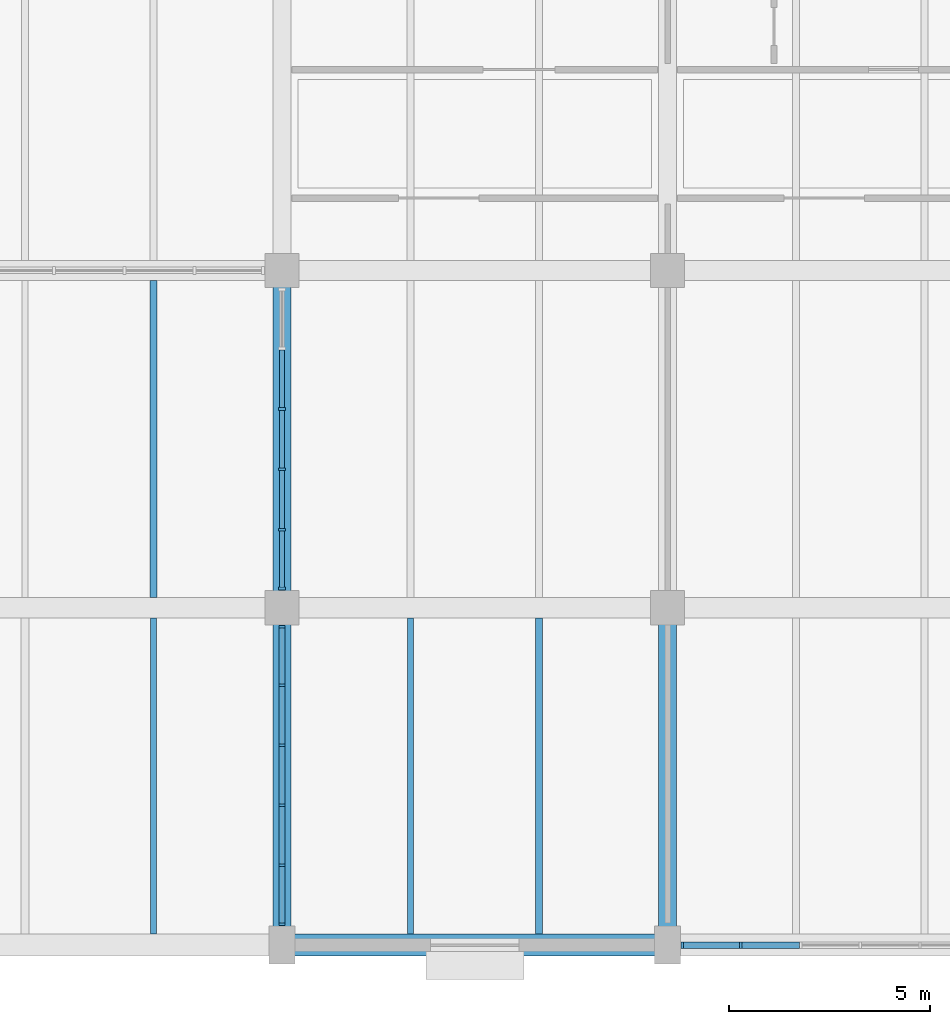
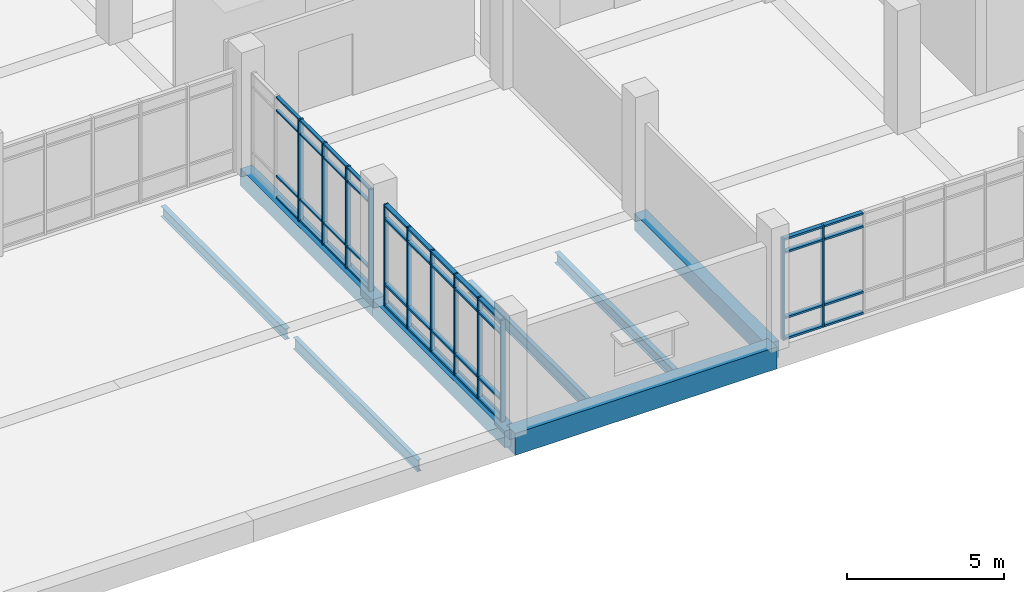
# One storey, part 8 of 152: 56 members, 8 beams, 3 elements without a shape of their own.
"""IFC4 building model written with IfcOpenShell, lengths in metres."""

from ifc_helpers import new_model, si_unit, direction, frame, origin, origin_2d, place, context, subcontext, project, spatial, rectangle, i_section, extrude, material, material_profile, profile_set, type_object, element, aggregate, save


model = new_model("IFC4")

# Units and contexts
model_context = context("Model", 3, precision=1e-05, world=origin(), true_north=direction((0.0, 1.0)))
body_context = subcontext(model_context, "Body", "Model", "MODEL_VIEW")
ifc_project = project(units=[si_unit("LENGTHUNIT", "METRE"), si_unit("AREAUNIT", "SQUARE_METRE"), si_unit("VOLUMEUNIT", "CUBIC_METRE"), si_unit("PLANEANGLEUNIT", "RADIAN"), si_unit("MASSUNIT", "GRAM", prefix="KILO")], contexts=[model_context])

# Site, building, storey
site_placement = place(None, origin())
site = spatial("IfcSite", under=ifc_project, at=site_placement, CompositionType="ELEMENT")
building_placement = place(site_placement, origin())
building = spatial("IfcBuilding", under=site, at=building_placement, Name="Oolite Switchyard Hospital", CompositionType="ELEMENT")
storey_placement = place(building_placement, frame((0.0, 0.0, 5.10009765625)))
storey = spatial("IfcBuildingStorey", under=building, at=storey_placement, Name="L01", CompositionType="ELEMENT", Elevation=5.10009765625)

# Beams
ifc_material_1 = material(Name="Concrete C40/50", Category="concrete")
ifc_material_profile_1 = material_profile(ifc_material_1, rectangle(XDim=0.449951171875, YDim=0.64990234375, at=origin_2d()), Name="RCB450X650")
ifc_profile_set_1 = profile_set([ifc_material_profile_1], Name="Concrete C40/50")
beam_type_1 = type_object("IfcBeamType", Name="BM-RC450X650", PredefinedType="BEAM", material=ifc_profile_set_1)
beam_1_placement = place(storey_placement, frame((19.199951171875, 0.0, -0.3251953125), z_axis=(0.0, 1.0, 0.0), x_axis=(-1.0, 0.0, 0.0)))
element("IfcBeam", 1, at=beam_1_placement, inside=storey, type_object=beam_type_1, Name="L01 Y-Girder 318", PredefinedType="BEAM", context=body_context, shape_type="SweptSolid", body=[
    extrude(rectangle(XDim=0.449951171875, YDim=0.64990234375, at=origin_2d()), origin(), (0.0, 0.0, 1.0), 8.39990234375),
])
beam_2_placement = place(storey_placement, frame((19.199951171875, 8.39990234375, -0.3251953125), z_axis=(0.0, 1.0, 0.0), x_axis=(-1.0, 0.0, 0.0)))
element("IfcBeam", 2, at=beam_2_placement, inside=storey, type_object=beam_type_1, Name="L01 Y-Girder 319", PredefinedType="BEAM", context=body_context, shape_type="SweptSolid", body=[
    extrude(rectangle(XDim=0.449951171875, YDim=0.64990234375, at=origin_2d()), origin(), (0.0, 0.0, 1.0), 8.400146484375),
])
beam_3_placement = place(storey_placement, frame((28.800048828125, 0.0, -0.3251953125), z_axis=(0.0, 1.0, 0.0), x_axis=(-1.0, 0.0, 0.0)))
element("IfcBeam", 3, at=beam_3_placement, inside=storey, type_object=beam_type_1, Name="L01 Y-Girder 334", PredefinedType="BEAM", context=body_context, shape_type="SweptSolid", body=[
    extrude(rectangle(XDim=0.449951171875, YDim=0.64990234375, at=origin_2d()), origin(), (0.0, 0.0, 1.0), 8.39990234375),
])
ifc_material_profile_2 = material_profile(ifc_material_1, rectangle(XDim=0.550048828125, YDim=0.85009765625, at=origin_2d()), Name="RCB550X850")
ifc_profile_set_2 = profile_set([ifc_material_profile_2], Name="Concrete C40/50")
beam_type_2 = type_object("IfcBeamType", Name="BM-RC550X850", PredefinedType="BEAM", material=ifc_profile_set_2)
beam_4_placement = place(storey_placement, frame((19.199951171875, 0.0, -0.425048828125), z_axis=(1.0, 0.0, 0.0), x_axis=(0.0, 1.0, 0.0)))
element("IfcBeam", 4, at=beam_4_placement, inside=storey, type_object=beam_type_2, Name="L01 X-Girder 3", PredefinedType="BEAM", context=body_context, shape_type="SweptSolid", body=[
    extrude(rectangle(XDim=0.550048828125, YDim=0.85009765625, at=origin_2d()), origin(), (0.0, 0.0, 1.0), 9.60009765625),
])
ifc_material_2 = material(Name="Steel ASTM A992 Grade 50", Category="steel")
ifc_material_profile_3 = material_profile(ifc_material_2, i_section(OverallWidth=0.179931640625, OverallDepth=0.4130859375, WebThickness=0.010009765625, FlangeThickness=0.01611328125, at=origin_2d()), Name="W16X50")
ifc_profile_set_3 = profile_set([ifc_material_profile_3], Name="Steel ASTM A992 Grade 50")
beam_type_3 = type_object("IfcBeamType", Name="BM-W16X50", PredefinedType="JOIST", material=ifc_profile_set_3)
beam_5_placement = place(storey_placement, frame((16.0, 8.64990234375, -0.426025390625), z_axis=(0.0, 1.0, 0.0), x_axis=(-1.0, 0.0, 0.0)))
element("IfcBeam", 5, at=beam_5_placement, inside=storey, type_object=beam_type_3, Name="L01 Secondary Steel Joist 593", PredefinedType="JOIST", context=body_context, shape_type="SweptSolid", body=[
    extrude(i_section(OverallWidth=0.179931640625, OverallDepth=0.4130859375, WebThickness=0.010009765625, FlangeThickness=0.01611328125, at=origin_2d()), origin(), (0.0, 0.0, 1.0), 7.900146484375),
])
beam_6_placement = place(storey_placement, frame((25.60009765625, 0.27490234375, -0.482177734375), z_axis=(0.0, 1.0, 0.0), x_axis=(-1.0, 0.0, 0.0)))
element("IfcBeam", 6, at=beam_6_placement, inside=storey, type_object=beam_type_3, Name="L01 Secondary Steel Joist 623", PredefinedType="JOIST", context=body_context, shape_type="SweptSolid", body=[
    extrude(i_section(OverallWidth=0.179931640625, OverallDepth=0.4130859375, WebThickness=0.010009765625, FlangeThickness=0.01611328125, at=origin_2d()), origin(), (0.0, 0.0, 1.0), 7.875),
])
ifc_material_profile_4 = material_profile(ifc_material_2, i_section(OverallWidth=0.153076171875, OverallDepth=0.455078125, WebThickness=0.008056640625, FlangeThickness=0.012939453125, at=origin_2d()), Name="W18X40")
ifc_profile_set_4 = profile_set([ifc_material_profile_4], Name="Steel ASTM A992 Grade 50")
beam_type_4 = type_object("IfcBeamType", Name="BM-W18X40", PredefinedType="JOIST", material=ifc_profile_set_4)
for number, where, z_axis, x_axis, name in (
    (7, (16.0, 0.27490234375, -0.447998046875), (0.0, 1.0, 0.0), (-1.0, 0.0, 0.0), "L01 Secondary Steel Joist 591"),
    (8, (22.39990234375, 0.27490234375, -0.503173828125), (0.0, 1.0, 0.0), (-1.0, 0.0, 0.0), "L01 Secondary Steel Joist 622"),
):
    element("IfcBeam", number, at=place(storey_placement, frame(where, z_axis=z_axis, x_axis=x_axis)), inside=storey, type_object=beam_type_4, Name=name, PredefinedType="JOIST", context=body_context, shape_type="SweptSolid", body=[
        extrude(i_section(OverallWidth=0.153076171875, OverallDepth=0.455078125, WebThickness=0.008056640625, FlangeThickness=0.012939453125, at=origin_2d()), origin(), (0.0, 0.0, 1.0), 7.875),
    ])

# Curtain wall, members
ifc_material_3 = material(Name="Thermally broken aluminum frame with laminated impact glazing", Category="aluminium")
curtain_wall_type_1 = type_object("IfcCurtainWallType", Name="CW-UNIT-96X48", PredefinedType="USERDEFINED", material=ifc_material_3)
curtain_wall_1_placement = place(storey_placement, origin())
curtain_wall_1 = element("IfcCurtainWall", 9, at=curtain_wall_1_placement, inside=storey, type_object=curtain_wall_type_1, Name="L01 Unitised Curtain Wall 95", ObjectType="UNITISED", PredefinedType="USERDEFINED")
ifc_material_4 = material(Name="Aluminium 6063-T6", Category="aluminium")
ifc_material_profile_5 = material_profile(ifc_material_4, rectangle(XDim=0.159912109375, YDim=0.06005859375, at=origin_2d()), Name="CWM60X160")
ifc_profile_set_5 = profile_set([ifc_material_profile_5], Name="Aluminium 6063-T6")
member_type_1 = type_object("IfcMemberType", Name="CW-MUL-180", PredefinedType="MULLION", material=ifc_profile_set_5)
member_1_placement = place(storey_placement, frame((30.626708984375, 0.0, 0.0), z_axis=(0.0, 0.0, 1.0), x_axis=(0.0, -1.0, 0.0)))
member_1 = element("IfcMember", 10, at=member_1_placement, type_object=member_type_1, Name="CW-02 mullion 6", PredefinedType="MULLION", context=body_context, shape_type="SweptSolid", body=[
    extrude(rectangle(XDim=0.159912109375, YDim=0.06005859375, at=origin_2d()), origin(), (0.0, 0.0, 1.0), 3.93994140625),
])
member_2_placement = place(storey_placement, frame((29.169921875, 0.0, 0.0), z_axis=(0.0, 0.0, 1.0), x_axis=(0.0, -1.0, 0.0)))
member_2 = element("IfcMember", 11, at=member_2_placement, type_object=member_type_1, Name="CW-02 mullion 7", PredefinedType="MULLION", context=body_context, shape_type="SweptSolid", body=[
    extrude(rectangle(XDim=0.159912109375, YDim=0.06005859375, at=origin_2d()), origin(), (0.0, 0.0, 1.0), 3.93994140625),
])

curtain_wall_type_2 = type_object("IfcCurtainWallType", Name="CW-UNIT-84X48", PredefinedType="USERDEFINED", material=ifc_material_3)
curtain_wall_2_placement = place(storey_placement, origin())
curtain_wall_2 = element("IfcCurtainWall", 12, at=curtain_wall_2_placement, inside=storey, type_object=curtain_wall_type_2, Name="L01 Unitised Curtain Wall 167", ObjectType="UNITISED", PredefinedType="USERDEFINED")
member_3_placement = place(storey_placement, frame((19.199951171875, 0.52001953125, 0.0), z_axis=(0.0, 0.0, 1.0), x_axis=(-1.0, 0.0, 0.0)))
member_3 = element("IfcMember", 13, at=member_3_placement, type_object=member_type_1, Name="CW-07 mullion 1", PredefinedType="MULLION", context=body_context, shape_type="SweptSolid", body=[
    extrude(rectangle(XDim=0.159912109375, YDim=0.06005859375, at=origin_2d()), origin(), (0.0, 0.0, 1.0), 3.93994140625),
])
member_4_placement = place(storey_placement, frame((19.199951171875, 1.98388671875, 0.0), z_axis=(0.0, 0.0, 1.0), x_axis=(-1.0, 0.0, 0.0)))
member_4 = element("IfcMember", 14, at=member_4_placement, type_object=member_type_1, Name="CW-07 mullion 2", PredefinedType="MULLION", context=body_context, shape_type="SweptSolid", body=[
    extrude(rectangle(XDim=0.159912109375, YDim=0.06005859375, at=origin_2d()), origin(), (0.0, 0.0, 1.0), 3.93994140625),
])
member_5_placement = place(storey_placement, frame((19.199951171875, 3.47802734375, 0.0), z_axis=(0.0, 0.0, 1.0), x_axis=(-1.0, 0.0, 0.0)))
member_5 = element("IfcMember", 15, at=member_5_placement, type_object=member_type_1, Name="CW-07 mullion 3", PredefinedType="MULLION", context=body_context, shape_type="SweptSolid", body=[
    extrude(rectangle(XDim=0.159912109375, YDim=0.06005859375, at=origin_2d()), origin(), (0.0, 0.0, 1.0), 3.93994140625),
])
member_6_placement = place(storey_placement, frame((19.199951171875, 4.971923828125, 0.0), z_axis=(0.0, 0.0, 1.0), x_axis=(-1.0, 0.0, 0.0)))
member_6 = element("IfcMember", 16, at=member_6_placement, type_object=member_type_1, Name="CW-07 mullion 4", PredefinedType="MULLION", context=body_context, shape_type="SweptSolid", body=[
    extrude(rectangle(XDim=0.159912109375, YDim=0.06005859375, at=origin_2d()), origin(), (0.0, 0.0, 1.0), 3.93994140625),
])
member_7_placement = place(storey_placement, frame((19.199951171875, 6.466064453125, 0.0), z_axis=(0.0, 0.0, 1.0), x_axis=(-1.0, 0.0, 0.0)))
member_7 = element("IfcMember", 17, at=member_7_placement, type_object=member_type_1, Name="CW-07 mullion 5", PredefinedType="MULLION", context=body_context, shape_type="SweptSolid", body=[
    extrude(rectangle(XDim=0.159912109375, YDim=0.06005859375, at=origin_2d()), origin(), (0.0, 0.0, 1.0), 3.93994140625),
])
member_8_placement = place(storey_placement, frame((19.199951171875, 7.929931640625, 0.0), z_axis=(0.0, 0.0, 1.0), x_axis=(-1.0, 0.0, 0.0)))
member_8 = element("IfcMember", 18, at=member_8_placement, type_object=member_type_1, Name="CW-07 mullion 6", PredefinedType="MULLION", context=body_context, shape_type="SweptSolid", body=[
    extrude(rectangle(XDim=0.159912109375, YDim=0.06005859375, at=origin_2d()), origin(), (0.0, 0.0, 1.0), 3.93994140625),
])

curtain_wall_3_placement = place(storey_placement, origin())
curtain_wall_3 = element("IfcCurtainWall", 19, at=curtain_wall_3_placement, inside=storey, type_object=curtain_wall_type_2, Name="L01 Unitised Curtain Wall 168", ObjectType="UNITISED", PredefinedType="USERDEFINED")
ifc_material_profile_6 = material_profile(ifc_material_4, rectangle(XDim=0.179931640625, YDim=0.070068359375, at=origin_2d()), Name="CWM70X180")
ifc_profile_set_6 = profile_set([ifc_material_profile_6], Name="Aluminium 6063-T6")
member_type_2 = type_object("IfcMemberType", Name="CW-MUL-220", PredefinedType="MULLION", material=ifc_profile_set_6)
member_9_placement = place(storey_placement, frame((19.199951171875, 8.875, 0.0), z_axis=(0.0, 0.0, 1.0), x_axis=(-1.0, 0.0, 0.0)))
member_9 = element("IfcMember", 20, at=member_9_placement, type_object=member_type_2, Name="CW-07 mullion 1", PredefinedType="MULLION", context=body_context, shape_type="SweptSolid", body=[
    extrude(rectangle(XDim=0.179931640625, YDim=0.070068359375, at=origin_2d()), origin(), (0.0, 0.0, 1.0), 3.93994140625),
])
member_10_placement = place(storey_placement, frame((19.199951171875, 10.343994140625, 0.0), z_axis=(0.0, 0.0, 1.0), x_axis=(-1.0, 0.0, 0.0)))
member_10 = element("IfcMember", 21, at=member_10_placement, type_object=member_type_2, Name="CW-07 mullion 2", PredefinedType="MULLION", context=body_context, shape_type="SweptSolid", body=[
    extrude(rectangle(XDim=0.179931640625, YDim=0.070068359375, at=origin_2d()), origin(), (0.0, 0.0, 1.0), 3.93994140625),
])
member_11_placement = place(storey_placement, frame((19.199951171875, 11.847900390625, 0.0), z_axis=(0.0, 0.0, 1.0), x_axis=(-1.0, 0.0, 0.0)))
member_11 = element("IfcMember", 22, at=member_11_placement, type_object=member_type_2, Name="CW-07 mullion 3", PredefinedType="MULLION", context=body_context, shape_type="SweptSolid", body=[
    extrude(rectangle(XDim=0.179931640625, YDim=0.070068359375, at=origin_2d()), origin(), (0.0, 0.0, 1.0), 3.93994140625),
])
member_12_placement = place(storey_placement, frame((19.199951171875, 13.35205078125, 0.0), z_axis=(0.0, 0.0, 1.0), x_axis=(-1.0, 0.0, 0.0)))
member_12 = element("IfcMember", 23, at=member_12_placement, type_object=member_type_2, Name="CW-07 mullion 4", PredefinedType="MULLION", context=body_context, shape_type="SweptSolid", body=[
    extrude(rectangle(XDim=0.179931640625, YDim=0.070068359375, at=origin_2d()), origin(), (0.0, 0.0, 1.0), 3.93994140625),
])
ifc_material_profile_7 = material_profile(ifc_material_4, rectangle(XDim=0.1201171875, YDim=0.06005859375, at=origin_2d()), Name="CWT60X120")
ifc_profile_set_7 = profile_set([ifc_material_profile_7], Name="Aluminium 6063-T6")
member_type_3 = type_object("IfcMemberType", Name="CW-TRN-150", PredefinedType="USERDEFINED", material=ifc_profile_set_7)
member_13_placement = place(storey_placement, frame((19.199951171875, 8.909912109375, 0.02978515625), z_axis=(0.0, 1.0, 0.0), x_axis=(-1.0, 0.0, 0.0)))
member_13 = element("IfcMember", 24, at=member_13_placement, type_object=member_type_3, Name="CW-07 transom 1.1", ObjectType="TRANSOM", PredefinedType="USERDEFINED", context=body_context, shape_type="SweptSolid", body=[
    extrude(rectangle(XDim=0.1201171875, YDim=0.06005859375, at=origin_2d()), origin(), (0.0, 0.0, 1.0), 1.399169921875),
])
member_14_placement = place(storey_placement, frame((19.199951171875, 8.909912109375, 0.849853515625), z_axis=(0.0, 1.0, 0.0), x_axis=(-1.0, 0.0, 0.0)))
member_14 = element("IfcMember", 25, at=member_14_placement, type_object=member_type_3, Name="CW-07 transom 1.2", ObjectType="TRANSOM", PredefinedType="USERDEFINED", context=body_context, shape_type="SweptSolid", body=[
    extrude(rectangle(XDim=0.1201171875, YDim=0.06005859375, at=origin_2d()), origin(), (0.0, 0.0, 1.0), 1.399169921875),
])
member_15_placement = place(storey_placement, frame((19.199951171875, 8.909912109375, 3.389892578125), z_axis=(0.0, 1.0, 0.0), x_axis=(-1.0, 0.0, 0.0)))
member_15 = element("IfcMember", 26, at=member_15_placement, type_object=member_type_3, Name="CW-07 transom 1.3", ObjectType="TRANSOM", PredefinedType="USERDEFINED", context=body_context, shape_type="SweptSolid", body=[
    extrude(rectangle(XDim=0.1201171875, YDim=0.06005859375, at=origin_2d()), origin(), (0.0, 0.0, 1.0), 1.399169921875),
])
member_16_placement = place(storey_placement, frame((19.199951171875, 8.909912109375, 3.909912109375), z_axis=(0.0, 1.0, 0.0), x_axis=(-1.0, 0.0, 0.0)))
member_16 = element("IfcMember", 27, at=member_16_placement, type_object=member_type_3, Name="CW-07 transom 1.4", ObjectType="TRANSOM", PredefinedType="USERDEFINED", context=body_context, shape_type="SweptSolid", body=[
    extrude(rectangle(XDim=0.1201171875, YDim=0.06005859375, at=origin_2d()), origin(), (0.0, 0.0, 1.0), 1.399169921875),
])
member_17_placement = place(storey_placement, frame((19.199951171875, 10.37890625, 0.02978515625), z_axis=(0.0, 1.0, 0.0), x_axis=(-1.0, 0.0, 0.0)))
member_17 = element("IfcMember", 28, at=member_17_placement, type_object=member_type_3, Name="CW-07 transom 2.1", ObjectType="TRANSOM", PredefinedType="USERDEFINED", context=body_context, shape_type="SweptSolid", body=[
    extrude(rectangle(XDim=0.1201171875, YDim=0.06005859375, at=origin_2d()), origin(), (0.0, 0.0, 1.0), 1.43408203125),
])
member_18_placement = place(storey_placement, frame((19.199951171875, 10.37890625, 0.849853515625), z_axis=(0.0, 1.0, 0.0), x_axis=(-1.0, 0.0, 0.0)))
member_18 = element("IfcMember", 29, at=member_18_placement, type_object=member_type_3, Name="CW-07 transom 2.2", ObjectType="TRANSOM", PredefinedType="USERDEFINED", context=body_context, shape_type="SweptSolid", body=[
    extrude(rectangle(XDim=0.1201171875, YDim=0.06005859375, at=origin_2d()), origin(), (0.0, 0.0, 1.0), 1.43408203125),
])
member_19_placement = place(storey_placement, frame((19.199951171875, 10.37890625, 3.389892578125), z_axis=(0.0, 1.0, 0.0), x_axis=(-1.0, 0.0, 0.0)))
member_19 = element("IfcMember", 30, at=member_19_placement, type_object=member_type_3, Name="CW-07 transom 2.3", ObjectType="TRANSOM", PredefinedType="USERDEFINED", context=body_context, shape_type="SweptSolid", body=[
    extrude(rectangle(XDim=0.1201171875, YDim=0.06005859375, at=origin_2d()), origin(), (0.0, 0.0, 1.0), 1.43408203125),
])
member_20_placement = place(storey_placement, frame((19.199951171875, 10.37890625, 3.909912109375), z_axis=(0.0, 1.0, 0.0), x_axis=(-1.0, 0.0, 0.0)))
member_20 = element("IfcMember", 31, at=member_20_placement, type_object=member_type_3, Name="CW-07 transom 2.4", ObjectType="TRANSOM", PredefinedType="USERDEFINED", context=body_context, shape_type="SweptSolid", body=[
    extrude(rectangle(XDim=0.1201171875, YDim=0.06005859375, at=origin_2d()), origin(), (0.0, 0.0, 1.0), 1.43408203125),
])
member_21_placement = place(storey_placement, frame((19.199951171875, 11.883056640625, 0.02978515625), z_axis=(0.0, 1.0, 0.0), x_axis=(-1.0, 0.0, 0.0)))
member_21 = element("IfcMember", 32, at=member_21_placement, type_object=member_type_3, Name="CW-07 transom 3.1", ObjectType="TRANSOM", PredefinedType="USERDEFINED", context=body_context, shape_type="SweptSolid", body=[
    extrude(rectangle(XDim=0.1201171875, YDim=0.06005859375, at=origin_2d()), origin(), (0.0, 0.0, 1.0), 1.433837890625),
])
member_22_placement = place(storey_placement, frame((19.199951171875, 11.883056640625, 0.849853515625), z_axis=(0.0, 1.0, 0.0), x_axis=(-1.0, 0.0, 0.0)))
member_22 = element("IfcMember", 33, at=member_22_placement, type_object=member_type_3, Name="CW-07 transom 3.2", ObjectType="TRANSOM", PredefinedType="USERDEFINED", context=body_context, shape_type="SweptSolid", body=[
    extrude(rectangle(XDim=0.1201171875, YDim=0.06005859375, at=origin_2d()), origin(), (0.0, 0.0, 1.0), 1.433837890625),
])
member_23_placement = place(storey_placement, frame((19.199951171875, 11.883056640625, 3.389892578125), z_axis=(0.0, 1.0, 0.0), x_axis=(-1.0, 0.0, 0.0)))
member_23 = element("IfcMember", 34, at=member_23_placement, type_object=member_type_3, Name="CW-07 transom 3.3", ObjectType="TRANSOM", PredefinedType="USERDEFINED", context=body_context, shape_type="SweptSolid", body=[
    extrude(rectangle(XDim=0.1201171875, YDim=0.06005859375, at=origin_2d()), origin(), (0.0, 0.0, 1.0), 1.433837890625),
])
member_24_placement = place(storey_placement, frame((19.199951171875, 11.883056640625, 3.909912109375), z_axis=(0.0, 1.0, 0.0), x_axis=(-1.0, 0.0, 0.0)))
member_24 = element("IfcMember", 35, at=member_24_placement, type_object=member_type_3, Name="CW-07 transom 3.4", ObjectType="TRANSOM", PredefinedType="USERDEFINED", context=body_context, shape_type="SweptSolid", body=[
    extrude(rectangle(XDim=0.1201171875, YDim=0.06005859375, at=origin_2d()), origin(), (0.0, 0.0, 1.0), 1.433837890625),
])
member_25_placement = place(storey_placement, frame((19.199951171875, 13.386962890625, 0.02978515625), z_axis=(0.0, 1.0, 0.0), x_axis=(-1.0, 0.0, 0.0)))
member_25 = element("IfcMember", 36, at=member_25_placement, type_object=member_type_3, Name="CW-07 transom 4.1", ObjectType="TRANSOM", PredefinedType="USERDEFINED", context=body_context, shape_type="SweptSolid", body=[
    extrude(rectangle(XDim=0.1201171875, YDim=0.06005859375, at=origin_2d()), origin(), (0.0, 0.0, 1.0), 1.43408203125),
])
member_26_placement = place(storey_placement, frame((19.199951171875, 13.386962890625, 0.849853515625), z_axis=(0.0, 1.0, 0.0), x_axis=(-1.0, 0.0, 0.0)))
member_26 = element("IfcMember", 37, at=member_26_placement, type_object=member_type_3, Name="CW-07 transom 4.2", ObjectType="TRANSOM", PredefinedType="USERDEFINED", context=body_context, shape_type="SweptSolid", body=[
    extrude(rectangle(XDim=0.1201171875, YDim=0.06005859375, at=origin_2d()), origin(), (0.0, 0.0, 1.0), 1.43408203125),
])
member_27_placement = place(storey_placement, frame((19.199951171875, 13.386962890625, 3.389892578125), z_axis=(0.0, 1.0, 0.0), x_axis=(-1.0, 0.0, 0.0)))
member_27 = element("IfcMember", 38, at=member_27_placement, type_object=member_type_3, Name="CW-07 transom 4.3", ObjectType="TRANSOM", PredefinedType="USERDEFINED", context=body_context, shape_type="SweptSolid", body=[
    extrude(rectangle(XDim=0.1201171875, YDim=0.06005859375, at=origin_2d()), origin(), (0.0, 0.0, 1.0), 1.43408203125),
])
member_28_placement = place(storey_placement, frame((19.199951171875, 13.386962890625, 3.909912109375), z_axis=(0.0, 1.0, 0.0), x_axis=(-1.0, 0.0, 0.0)))
member_28 = element("IfcMember", 39, at=member_28_placement, type_object=member_type_3, Name="CW-07 transom 4.4", ObjectType="TRANSOM", PredefinedType="USERDEFINED", context=body_context, shape_type="SweptSolid", body=[
    extrude(rectangle(XDim=0.1201171875, YDim=0.06005859375, at=origin_2d()), origin(), (0.0, 0.0, 1.0), 1.43408203125),
])
aggregate(curtain_wall_3, [member_9, member_10, member_11, member_12, member_13, member_14, member_15, member_16, member_17, member_18, member_19, member_20, member_21, member_22, member_23, member_24, member_25, member_26, member_27, member_28])

# Member
ifc_material_profile_8 = material_profile(ifc_material_4, rectangle(XDim=0.159912109375, YDim=0.074951171875, at=origin_2d()), Name="CWT75X160")
ifc_profile_set_8 = profile_set([ifc_material_profile_8], Name="Aluminium 6063-T6")
member_type_4 = type_object("IfcMemberType", Name="CW-TRN-180", PredefinedType="USERDEFINED", material=ifc_profile_set_8)
member_29_placement = place(storey_placement, frame((32.083251953125, 0.0, 0.037353515625), z_axis=(-1.0, 0.0, 0.0), x_axis=(0.0, -1.0, 0.0)))
member_29 = element("IfcMember", 40, at=member_29_placement, type_object=member_type_4, Name="CW-02 transom 5.1", ObjectType="TRANSOM", PredefinedType="USERDEFINED", context=body_context, shape_type="SweptSolid", body=[
    extrude(rectangle(XDim=0.159912109375, YDim=0.074951171875, at=origin_2d()), origin(), (0.0, 0.0, 1.0), 1.426513671875),
])

member_30_placement = place(storey_placement, frame((32.083251953125, 0.0, 0.849853515625), z_axis=(-1.0, 0.0, 0.0), x_axis=(0.0, -1.0, 0.0)))
member_30 = element("IfcMember", 41, at=member_30_placement, type_object=member_type_4, Name="CW-02 transom 5.2", ObjectType="TRANSOM", PredefinedType="USERDEFINED", context=body_context, shape_type="SweptSolid", body=[
    extrude(rectangle(XDim=0.159912109375, YDim=0.074951171875, at=origin_2d()), origin(), (0.0, 0.0, 1.0), 1.426513671875),
])

member_31_placement = place(storey_placement, frame((32.083251953125, 0.0, 3.389892578125), z_axis=(-1.0, 0.0, 0.0), x_axis=(0.0, -1.0, 0.0)))
member_31 = element("IfcMember", 42, at=member_31_placement, type_object=member_type_4, Name="CW-02 transom 5.3", ObjectType="TRANSOM", PredefinedType="USERDEFINED", context=body_context, shape_type="SweptSolid", body=[
    extrude(rectangle(XDim=0.159912109375, YDim=0.074951171875, at=origin_2d()), origin(), (0.0, 0.0, 1.0), 1.426513671875),
])

member_32_placement = place(storey_placement, frame((32.083251953125, 0.0, 3.90234375), z_axis=(-1.0, 0.0, 0.0), x_axis=(0.0, -1.0, 0.0)))
member_32 = element("IfcMember", 43, at=member_32_placement, type_object=member_type_4, Name="CW-02 transom 5.4", ObjectType="TRANSOM", PredefinedType="USERDEFINED", context=body_context, shape_type="SweptSolid", body=[
    extrude(rectangle(XDim=0.159912109375, YDim=0.074951171875, at=origin_2d()), origin(), (0.0, 0.0, 1.0), 1.426513671875),
])

member_33_placement = place(storey_placement, frame((30.5966796875, 0.0, 0.037353515625), z_axis=(-1.0, 0.0, 0.0), x_axis=(0.0, -1.0, 0.0)))
member_33 = element("IfcMember", 44, at=member_33_placement, type_object=member_type_4, Name="CW-02 transom 6.1", ObjectType="TRANSOM", PredefinedType="USERDEFINED", context=body_context, shape_type="SweptSolid", body=[
    extrude(rectangle(XDim=0.159912109375, YDim=0.074951171875, at=origin_2d()), origin(), (0.0, 0.0, 1.0), 1.396728515625),
])

member_34_placement = place(storey_placement, frame((30.5966796875, 0.0, 0.849853515625), z_axis=(-1.0, 0.0, 0.0), x_axis=(0.0, -1.0, 0.0)))
member_34 = element("IfcMember", 45, at=member_34_placement, type_object=member_type_4, Name="CW-02 transom 6.2", ObjectType="TRANSOM", PredefinedType="USERDEFINED", context=body_context, shape_type="SweptSolid", body=[
    extrude(rectangle(XDim=0.159912109375, YDim=0.074951171875, at=origin_2d()), origin(), (0.0, 0.0, 1.0), 1.396728515625),
])

member_35_placement = place(storey_placement, frame((30.5966796875, 0.0, 3.389892578125), z_axis=(-1.0, 0.0, 0.0), x_axis=(0.0, -1.0, 0.0)))
member_35 = element("IfcMember", 46, at=member_35_placement, type_object=member_type_4, Name="CW-02 transom 6.3", ObjectType="TRANSOM", PredefinedType="USERDEFINED", context=body_context, shape_type="SweptSolid", body=[
    extrude(rectangle(XDim=0.159912109375, YDim=0.074951171875, at=origin_2d()), origin(), (0.0, 0.0, 1.0), 1.396728515625),
])

member_36_placement = place(storey_placement, frame((30.5966796875, 0.0, 3.90234375), z_axis=(-1.0, 0.0, 0.0), x_axis=(0.0, -1.0, 0.0)))
member_36 = element("IfcMember", 47, at=member_36_placement, type_object=member_type_4, Name="CW-02 transom 6.4", ObjectType="TRANSOM", PredefinedType="USERDEFINED", context=body_context, shape_type="SweptSolid", body=[
    extrude(rectangle(XDim=0.159912109375, YDim=0.074951171875, at=origin_2d()), origin(), (0.0, 0.0, 1.0), 1.396728515625),
])

aggregate(curtain_wall_1, [member_1, member_2, member_29, member_30, member_31, member_32, member_33, member_34, member_35, member_36])

member_37_placement = place(storey_placement, frame((19.199951171875, 0.550048828125, 0.037353515625), z_axis=(0.0, 1.0, 0.0), x_axis=(-1.0, 0.0, 0.0)))
member_37 = element("IfcMember", 48, at=member_37_placement, type_object=member_type_4, Name="CW-07 transom 1.1", ObjectType="TRANSOM", PredefinedType="USERDEFINED", context=body_context, shape_type="SweptSolid", body=[
    extrude(rectangle(XDim=0.159912109375, YDim=0.074951171875, at=origin_2d()), origin(), (0.0, 0.0, 1.0), 1.404052734375),
])

member_38_placement = place(storey_placement, frame((19.199951171875, 0.550048828125, 0.849853515625), z_axis=(0.0, 1.0, 0.0), x_axis=(-1.0, 0.0, 0.0)))
member_38 = element("IfcMember", 49, at=member_38_placement, type_object=member_type_4, Name="CW-07 transom 1.2", ObjectType="TRANSOM", PredefinedType="USERDEFINED", context=body_context, shape_type="SweptSolid", body=[
    extrude(rectangle(XDim=0.159912109375, YDim=0.074951171875, at=origin_2d()), origin(), (0.0, 0.0, 1.0), 1.404052734375),
])

member_39_placement = place(storey_placement, frame((19.199951171875, 0.550048828125, 3.389892578125), z_axis=(0.0, 1.0, 0.0), x_axis=(-1.0, 0.0, 0.0)))
member_39 = element("IfcMember", 50, at=member_39_placement, type_object=member_type_4, Name="CW-07 transom 1.3", ObjectType="TRANSOM", PredefinedType="USERDEFINED", context=body_context, shape_type="SweptSolid", body=[
    extrude(rectangle(XDim=0.159912109375, YDim=0.074951171875, at=origin_2d()), origin(), (0.0, 0.0, 1.0), 1.404052734375),
])

member_40_placement = place(storey_placement, frame((19.199951171875, 0.550048828125, 3.90234375), z_axis=(0.0, 1.0, 0.0), x_axis=(-1.0, 0.0, 0.0)))
member_40 = element("IfcMember", 51, at=member_40_placement, type_object=member_type_4, Name="CW-07 transom 1.4", ObjectType="TRANSOM", PredefinedType="USERDEFINED", context=body_context, shape_type="SweptSolid", body=[
    extrude(rectangle(XDim=0.159912109375, YDim=0.074951171875, at=origin_2d()), origin(), (0.0, 0.0, 1.0), 1.404052734375),
])

member_41_placement = place(storey_placement, frame((19.199951171875, 2.013916015625, 0.037353515625), z_axis=(0.0, 1.0, 0.0), x_axis=(-1.0, 0.0, 0.0)))
member_41 = element("IfcMember", 52, at=member_41_placement, type_object=member_type_4, Name="CW-07 transom 2.1", ObjectType="TRANSOM", PredefinedType="USERDEFINED", context=body_context, shape_type="SweptSolid", body=[
    extrude(rectangle(XDim=0.159912109375, YDim=0.074951171875, at=origin_2d()), origin(), (0.0, 0.0, 1.0), 1.43408203125),
])

member_42_placement = place(storey_placement, frame((19.199951171875, 2.013916015625, 0.849853515625), z_axis=(0.0, 1.0, 0.0), x_axis=(-1.0, 0.0, 0.0)))
member_42 = element("IfcMember", 53, at=member_42_placement, type_object=member_type_4, Name="CW-07 transom 2.2", ObjectType="TRANSOM", PredefinedType="USERDEFINED", context=body_context, shape_type="SweptSolid", body=[
    extrude(rectangle(XDim=0.159912109375, YDim=0.074951171875, at=origin_2d()), origin(), (0.0, 0.0, 1.0), 1.43408203125),
])

member_43_placement = place(storey_placement, frame((19.199951171875, 2.013916015625, 3.389892578125), z_axis=(0.0, 1.0, 0.0), x_axis=(-1.0, 0.0, 0.0)))
member_43 = element("IfcMember", 54, at=member_43_placement, type_object=member_type_4, Name="CW-07 transom 2.3", ObjectType="TRANSOM", PredefinedType="USERDEFINED", context=body_context, shape_type="SweptSolid", body=[
    extrude(rectangle(XDim=0.159912109375, YDim=0.074951171875, at=origin_2d()), origin(), (0.0, 0.0, 1.0), 1.43408203125),
])

member_44_placement = place(storey_placement, frame((19.199951171875, 2.013916015625, 3.90234375), z_axis=(0.0, 1.0, 0.0), x_axis=(-1.0, 0.0, 0.0)))
member_44 = element("IfcMember", 55, at=member_44_placement, type_object=member_type_4, Name="CW-07 transom 2.4", ObjectType="TRANSOM", PredefinedType="USERDEFINED", context=body_context, shape_type="SweptSolid", body=[
    extrude(rectangle(XDim=0.159912109375, YDim=0.074951171875, at=origin_2d()), origin(), (0.0, 0.0, 1.0), 1.43408203125),
])

member_45_placement = place(storey_placement, frame((19.199951171875, 3.508056640625, 0.037353515625), z_axis=(0.0, 1.0, 0.0), x_axis=(-1.0, 0.0, 0.0)))
member_45 = element("IfcMember", 56, at=member_45_placement, type_object=member_type_4, Name="CW-07 transom 3.1", ObjectType="TRANSOM", PredefinedType="USERDEFINED", context=body_context, shape_type="SweptSolid", body=[
    extrude(rectangle(XDim=0.159912109375, YDim=0.074951171875, at=origin_2d()), origin(), (0.0, 0.0, 1.0), 1.433837890625),
])

member_46_placement = place(storey_placement, frame((19.199951171875, 3.508056640625, 0.849853515625), z_axis=(0.0, 1.0, 0.0), x_axis=(-1.0, 0.0, 0.0)))
member_46 = element("IfcMember", 57, at=member_46_placement, type_object=member_type_4, Name="CW-07 transom 3.2", ObjectType="TRANSOM", PredefinedType="USERDEFINED", context=body_context, shape_type="SweptSolid", body=[
    extrude(rectangle(XDim=0.159912109375, YDim=0.074951171875, at=origin_2d()), origin(), (0.0, 0.0, 1.0), 1.433837890625),
])

member_47_placement = place(storey_placement, frame((19.199951171875, 3.508056640625, 3.389892578125), z_axis=(0.0, 1.0, 0.0), x_axis=(-1.0, 0.0, 0.0)))
member_47 = element("IfcMember", 58, at=member_47_placement, type_object=member_type_4, Name="CW-07 transom 3.3", ObjectType="TRANSOM", PredefinedType="USERDEFINED", context=body_context, shape_type="SweptSolid", body=[
    extrude(rectangle(XDim=0.159912109375, YDim=0.074951171875, at=origin_2d()), origin(), (0.0, 0.0, 1.0), 1.433837890625),
])

member_48_placement = place(storey_placement, frame((19.199951171875, 3.508056640625, 3.90234375), z_axis=(0.0, 1.0, 0.0), x_axis=(-1.0, 0.0, 0.0)))
member_48 = element("IfcMember", 59, at=member_48_placement, type_object=member_type_4, Name="CW-07 transom 3.4", ObjectType="TRANSOM", PredefinedType="USERDEFINED", context=body_context, shape_type="SweptSolid", body=[
    extrude(rectangle(XDim=0.159912109375, YDim=0.074951171875, at=origin_2d()), origin(), (0.0, 0.0, 1.0), 1.433837890625),
])

member_49_placement = place(storey_placement, frame((19.199951171875, 5.001953125, 0.037353515625), z_axis=(0.0, 1.0, 0.0), x_axis=(-1.0, 0.0, 0.0)))
member_49 = element("IfcMember", 60, at=member_49_placement, type_object=member_type_4, Name="CW-07 transom 4.1", ObjectType="TRANSOM", PredefinedType="USERDEFINED", context=body_context, shape_type="SweptSolid", body=[
    extrude(rectangle(XDim=0.159912109375, YDim=0.074951171875, at=origin_2d()), origin(), (0.0, 0.0, 1.0), 1.43408203125),
])

member_50_placement = place(storey_placement, frame((19.199951171875, 5.001953125, 0.849853515625), z_axis=(0.0, 1.0, 0.0), x_axis=(-1.0, 0.0, 0.0)))
member_50 = element("IfcMember", 61, at=member_50_placement, type_object=member_type_4, Name="CW-07 transom 4.2", ObjectType="TRANSOM", PredefinedType="USERDEFINED", context=body_context, shape_type="SweptSolid", body=[
    extrude(rectangle(XDim=0.159912109375, YDim=0.074951171875, at=origin_2d()), origin(), (0.0, 0.0, 1.0), 1.43408203125),
])

member_51_placement = place(storey_placement, frame((19.199951171875, 5.001953125, 3.389892578125), z_axis=(0.0, 1.0, 0.0), x_axis=(-1.0, 0.0, 0.0)))
member_51 = element("IfcMember", 62, at=member_51_placement, type_object=member_type_4, Name="CW-07 transom 4.3", ObjectType="TRANSOM", PredefinedType="USERDEFINED", context=body_context, shape_type="SweptSolid", body=[
    extrude(rectangle(XDim=0.159912109375, YDim=0.074951171875, at=origin_2d()), origin(), (0.0, 0.0, 1.0), 1.43408203125),
])

member_52_placement = place(storey_placement, frame((19.199951171875, 5.001953125, 3.90234375), z_axis=(0.0, 1.0, 0.0), x_axis=(-1.0, 0.0, 0.0)))
member_52 = element("IfcMember", 63, at=member_52_placement, type_object=member_type_4, Name="CW-07 transom 4.4", ObjectType="TRANSOM", PredefinedType="USERDEFINED", context=body_context, shape_type="SweptSolid", body=[
    extrude(rectangle(XDim=0.159912109375, YDim=0.074951171875, at=origin_2d()), origin(), (0.0, 0.0, 1.0), 1.43408203125),
])

member_53_placement = place(storey_placement, frame((19.199951171875, 6.49609375, 0.037353515625), z_axis=(0.0, 1.0, 0.0), x_axis=(-1.0, 0.0, 0.0)))
member_53 = element("IfcMember", 64, at=member_53_placement, type_object=member_type_4, Name="CW-07 transom 5.1", ObjectType="TRANSOM", PredefinedType="USERDEFINED", context=body_context, shape_type="SweptSolid", body=[
    extrude(rectangle(XDim=0.159912109375, YDim=0.074951171875, at=origin_2d()), origin(), (0.0, 0.0, 1.0), 1.40380859375),
])

member_54_placement = place(storey_placement, frame((19.199951171875, 6.49609375, 0.849853515625), z_axis=(0.0, 1.0, 0.0), x_axis=(-1.0, 0.0, 0.0)))
member_54 = element("IfcMember", 65, at=member_54_placement, type_object=member_type_4, Name="CW-07 transom 5.2", ObjectType="TRANSOM", PredefinedType="USERDEFINED", context=body_context, shape_type="SweptSolid", body=[
    extrude(rectangle(XDim=0.159912109375, YDim=0.074951171875, at=origin_2d()), origin(), (0.0, 0.0, 1.0), 1.40380859375),
])

member_55_placement = place(storey_placement, frame((19.199951171875, 6.49609375, 3.389892578125), z_axis=(0.0, 1.0, 0.0), x_axis=(-1.0, 0.0, 0.0)))
member_55 = element("IfcMember", 66, at=member_55_placement, type_object=member_type_4, Name="CW-07 transom 5.3", ObjectType="TRANSOM", PredefinedType="USERDEFINED", context=body_context, shape_type="SweptSolid", body=[
    extrude(rectangle(XDim=0.159912109375, YDim=0.074951171875, at=origin_2d()), origin(), (0.0, 0.0, 1.0), 1.40380859375),
])

member_56_placement = place(storey_placement, frame((19.199951171875, 6.49609375, 3.90234375), z_axis=(0.0, 1.0, 0.0), x_axis=(-1.0, 0.0, 0.0)))
member_56 = element("IfcMember", 67, at=member_56_placement, type_object=member_type_4, Name="CW-07 transom 5.4", ObjectType="TRANSOM", PredefinedType="USERDEFINED", context=body_context, shape_type="SweptSolid", body=[
    extrude(rectangle(XDim=0.159912109375, YDim=0.074951171875, at=origin_2d()), origin(), (0.0, 0.0, 1.0), 1.40380859375),
])

aggregate(curtain_wall_2, [member_3, member_4, member_5, member_6, member_7, member_8, member_37, member_38, member_39, member_40, member_41, member_42, member_43, member_44, member_45, member_46, member_47, member_48, member_49, member_50, member_51, member_52, member_53, member_54, member_55, member_56])

save(model, "model.ifc")
